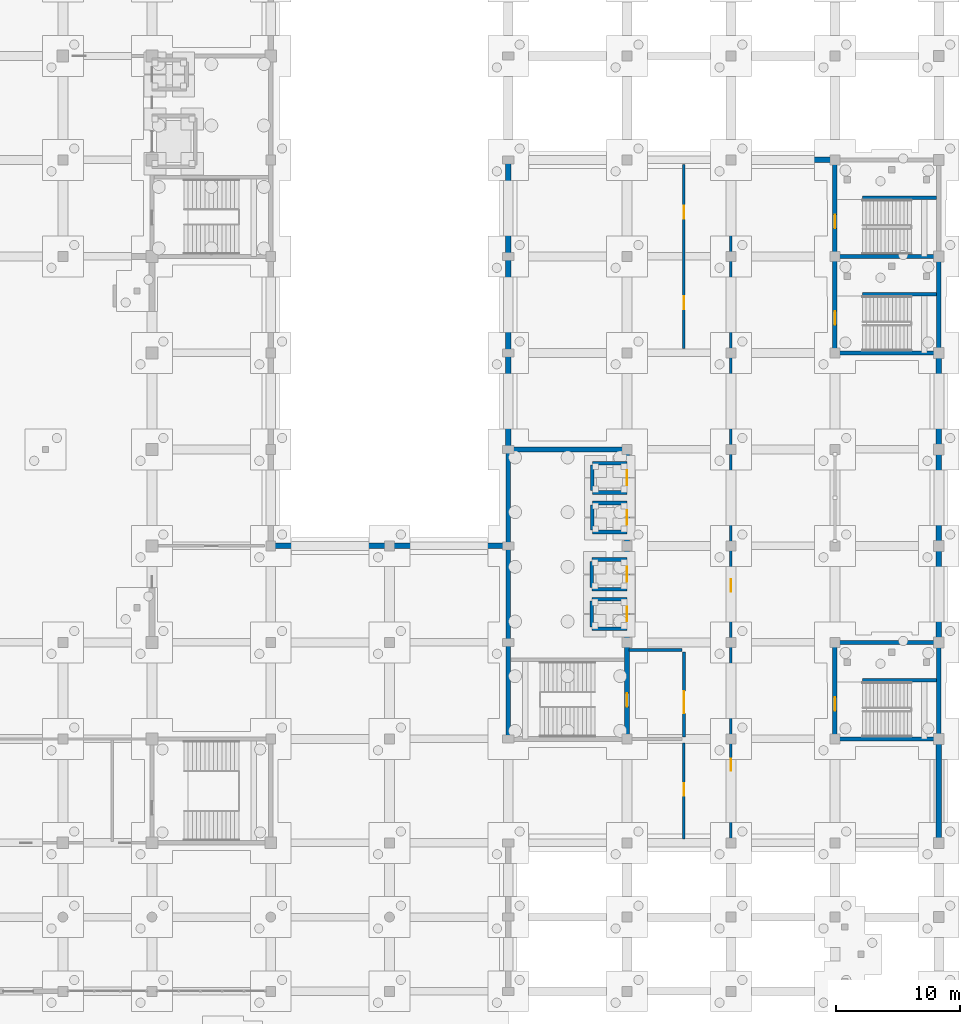
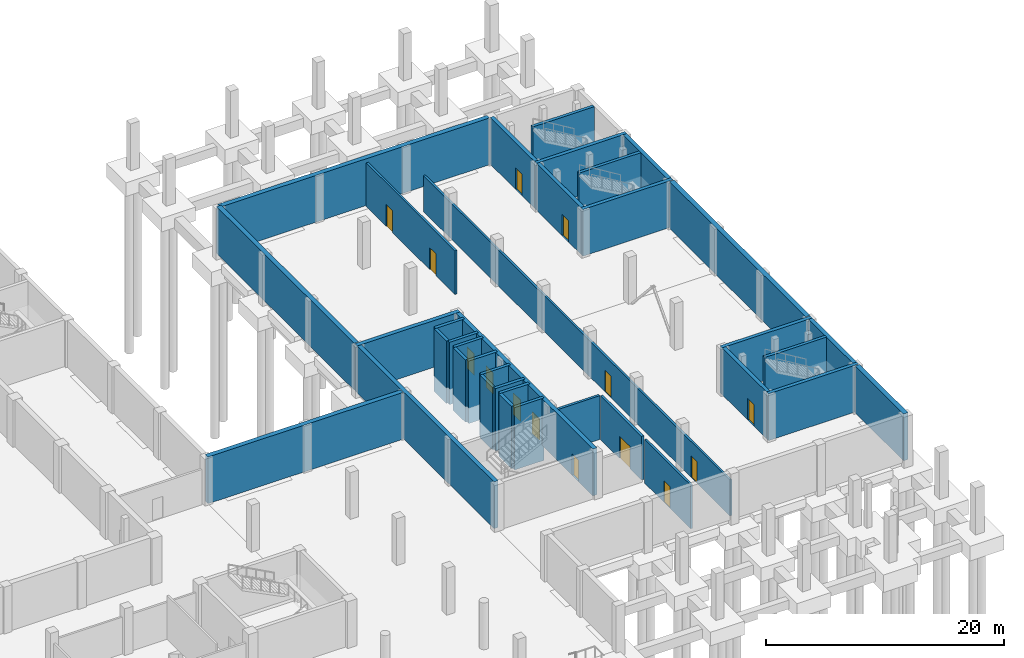
# One storey, part 35 of 42: 37 walls, 14 doors, 14 openings.
"""IFC4 building model written with IfcOpenShell, lengths in metres."""

from ifc_helpers import new_model, si_unit, direction, frame, frame_2d, origin, place, context, subcontext, project, spatial, rectangle, extrude, material, layer, layer_set, type_object, element, fill, save


model = new_model("IFC4")

# Units and contexts
model_context = context("Model", 3, precision=1e-05, world=origin(), true_north=direction((0.0, 1.0)))
body_context = subcontext(model_context, "Body", "Model", "MODEL_VIEW")
ifc_project = project(units=[si_unit("LENGTHUNIT", "METRE"), si_unit("AREAUNIT", "SQUARE_METRE"), si_unit("VOLUMEUNIT", "CUBIC_METRE"), si_unit("PLANEANGLEUNIT", "RADIAN"), si_unit("MASSUNIT", "GRAM", prefix="KILO")], contexts=[model_context])

# Site, building, storey
site_placement = place(None, origin())
site = spatial("IfcSite", under=ifc_project, at=site_placement, CompositionType="ELEMENT")
building_placement = place(site_placement, origin())
building = spatial("IfcBuilding", under=site, at=building_placement, Name="Pellamere Symphony Hall", CompositionType="ELEMENT")
storey_placement = place(building_placement, frame((0.0, 0.0, -4.800048828125)))
storey = spatial("IfcBuildingStorey", under=building, at=storey_placement, Name="B1", CompositionType="ELEMENT", Elevation=-4.800048828125)

# Wall
ifc_material_1 = material(Name="Double-Stud STC-65 Acoustic Drywall Partition", Category="gypsum")
ifc_layer_1 = layer(ifc_material_1, 0.239990234375, Name="Double-Stud STC-65 Acoustic Drywall Partition")
ifc_layer_set_1 = layer_set([ifc_layer_1], Name="Double-Stud STC-65 Acoustic Drywall Partition")
wall_type_1 = type_object("IfcWallType", Name="Interior Partition IW-01 240mm", PredefinedType="PARTITIONING", material=ifc_layer_set_1)
wall_1_placement = place(storey_placement, frame((147.760009765625, 45.60009765625, 0.0), z_axis=(0.0, 0.0, 1.0), x_axis=(1.0, 0.0, 0.0)))
element("IfcWall", 1, at=wall_1_placement, inside=storey, type_object=wall_type_1, Name="Interior Partition IW-01-021 (B1)", PredefinedType="PARTITIONING", context=body_context, shape_type="SweptSolid", body=[
    extrude(rectangle(XDim=4.280029296875, YDim=0.239990234375, at=frame_2d((2.14013671875, 0.0))), origin(), (0.0, 0.0, 1.0), 4.489990234375),
])

# Wall, opening, door
wall_2_placement = place(storey_placement, frame((152.199951171875, 38.56005859375, 0.0), z_axis=(0.0, 0.0, 1.0), x_axis=(0.0, 1.0, 0.0)))
wall_2 = element("IfcWall", 2, at=wall_2_placement, inside=storey, type_object=wall_type_1, Name="Interior Partition IW-01-022 (B1)", PredefinedType="PARTITIONING", context=body_context, shape_type="SweptSolid", body=[
    extrude(rectangle(XDim=6.8798828125, YDim=0.239990234375, at=frame_2d((3.43994140625, 0.0))), origin(), (0.0, 0.0, 1.0), 4.489990234375),
])
opening_1_placement = place(wall_2_placement, frame((1.89990234375, 0.0, 0.0)))
opening_1 = element("IfcOpeningElement", 3, at=opening_1_placement, cuts=wall_2, Name="Opening FD-09", PredefinedType="OPENING", context=body_context, shape_type="SweptSolid", body=[
    extrude(rectangle(XDim=1.800048828125, YDim=2.300048828125, at=frame_2d((0.89990234375, 1.14990234375))), frame((0.0, 0.1298828125, 0.0), z_axis=(0.0, -1.0, 0.0), x_axis=(1.0, 0.0, 0.0)), (0.0, 0.0, 1.0), 0.260009765625),
])
ifc_material_2 = material(Name="Fire-Rated Cross-Corridor Double Door", Category="wood")
door_type_1 = type_object("IfcDoorType", Name="Interior Door ID-FD1 1800x2300", OperationType="NOTDEFINED", PredefinedType="DOOR", material=ifc_material_2)
door_1_placement = place(opening_1_placement, origin())
door_1 = element("IfcDoor", 4, at=door_1_placement, inside=storey, type_object=door_type_1, Name="Firefighting Lobby C2 Foyer Entry Door (B1)", OperationType="DOUBLE_DOOR_SINGLE_SWING", OverallHeight=2.300048828125, OverallWidth=1.800048828125, PredefinedType="DOOR", context=body_context, shape_type="SweptSolid", body=[
    extrude(rectangle(XDim=1.800048828125, YDim=2.300048828125, at=frame_2d((0.89990234375, 1.14990234375))), frame((0.0, 0.02490234375, 0.0), z_axis=(0.0, -1.0, 0.0), x_axis=(1.0, 0.0, 0.0)), (0.0, 0.0, 1.0), 0.050048828125),
])
fill(opening_1, door_1)

ifc_material_3 = material(Name="Fire-Rated STC-58 Corridor Acoustic Partition", Category="gypsum")
ifc_layer_2 = layer(ifc_material_3, 0.199951171875, Name="Fire-Rated STC-58 Corridor Acoustic Partition")
ifc_layer_set_2 = layer_set([ifc_layer_2], Name="Fire-Rated STC-58 Corridor Acoustic Partition")
wall_type_2 = type_object("IfcWallType", Name="Interior Partition IW-02 200mm", PredefinedType="PARTITIONING", material=ifc_layer_set_2)
wall_3_placement = place(storey_placement, frame((152.199951171875, 30.31005859375, 0.0), z_axis=(0.0, 0.0, 1.0), x_axis=(0.0, 1.0, 0.0)))
wall_3 = element("IfcWall", 5, at=wall_3_placement, inside=storey, type_object=wall_type_2, Name="Interior Partition IW-02-048 (B1)", PredefinedType="PARTITIONING", context=body_context, shape_type="SweptSolid", body=[
    extrude(rectangle(XDim=7.75, YDim=0.199951171875, at=frame_2d((3.875, 0.0))), origin(), (0.0, 0.0, 1.0), 4.489990234375),
])
opening_2_placement = place(wall_3_placement, frame((3.5, 0.0, 0.0)))
opening_2 = element("IfcOpeningElement", 6, at=opening_2_placement, cuts=wall_3, Name="Opening ID-FD2-008", PredefinedType="OPENING", context=body_context, shape_type="SweptSolid", body=[
    extrude(rectangle(XDim=1.0, YDim=2.199951171875, at=frame_2d((0.5, 1.10009765625))), frame((0.0, 0.10986328125, 0.0), z_axis=(0.0, -1.0, 0.0), x_axis=(1.0, 0.0, 0.0)), (0.0, 0.0, 1.0), 0.219970703125),
])
ifc_material_4 = material(Name="Fire-Rated Plant and Riser Door", Category="steel")
door_type_2 = type_object("IfcDoorType", Name="Interior Door ID-FD2 1000x2200", OperationType="NOTDEFINED", PredefinedType="DOOR", material=ifc_material_4)
door_2_placement = place(opening_2_placement, origin())
door_2 = element("IfcDoor", 7, at=door_2_placement, inside=storey, type_object=door_type_2, Name="District Heating Plant Room Door", OperationType="SINGLE_SWING_LEFT", OverallHeight=2.199951171875, OverallWidth=1.0, PredefinedType="DOOR", context=body_context, shape_type="SweptSolid", body=[
    extrude(rectangle(XDim=1.0, YDim=2.199951171875, at=frame_2d((0.5, 1.10009765625))), frame((0.0, 0.02490234375, 0.0), z_axis=(0.0, -1.0, 0.0), x_axis=(1.0, 0.0, 0.0)), (0.0, 0.0, 1.0), 0.050048828125),
])
fill(opening_2, door_2)

# Wall, openings, doors
wall_4_placement = place(storey_placement, frame((152.199951171875, 69.93994140625, 0.0), z_axis=(0.0, 0.0, 1.0), x_axis=(0.0, 1.0, 0.0)))
wall_4 = element("IfcWall", 8, at=wall_4_placement, inside=storey, type_object=wall_type_2, Name="Interior Partition IW-02-049 (B1)", PredefinedType="PARTITIONING", context=body_context, shape_type="SweptSolid", body=[
    extrude(rectangle(XDim=14.900146484375, YDim=0.199951171875, at=frame_2d((7.4501953125, 0.0))), origin(), (0.0, 0.0, 1.0), 4.489990234375),
])
opening_3_placement = place(wall_4_placement, frame((3.199951171875, 0.0, 0.0)))
opening_3 = element("IfcOpeningElement", 9, at=opening_3_placement, cuts=wall_4, Name="Opening ID-AD2-009", PredefinedType="OPENING", context=body_context, shape_type="SweptSolid", body=[
    extrude(rectangle(XDim=1.050048828125, YDim=2.25, at=frame_2d((0.52490234375, 1.125))), frame((0.0, 0.10986328125, 0.0), z_axis=(0.0, -1.0, 0.0), x_axis=(1.0, 0.0, 0.0)), (0.0, 0.0, 1.0), 0.219970703125),
])
opening_4_placement = place(wall_4_placement, frame((10.5, 0.0, 0.0)))
opening_4 = element("IfcOpeningElement", 10, at=opening_4_placement, cuts=wall_4, Name="Opening ID-AD2-010", PredefinedType="OPENING", context=body_context, shape_type="SweptSolid", body=[
    extrude(rectangle(XDim=1.050048828125, YDim=2.25, at=frame_2d((0.52490234375, 1.125))), frame((0.0, 0.10986328125, 0.0), z_axis=(0.0, -1.0, 0.0), x_axis=(1.0, 0.0, 0.0)), (0.0, 0.0, 1.0), 0.219970703125),
])
ifc_material_5 = material(Name="STC-50 Oak Acoustic Studio Door", Category="wood")
door_type_3 = type_object("IfcDoorType", Name="Interior Door ID-AD2 1050x2250", OperationType="NOTDEFINED", PredefinedType="DOOR", material=ifc_material_5)
door_3_placement = place(opening_3_placement, origin())
door_3 = element("IfcDoor", 11, at=door_3_placement, inside=storey, type_object=door_type_3, Name="Main Substation West Service Door", OperationType="SINGLE_SWING_LEFT", OverallHeight=2.25, OverallWidth=1.050048828125, PredefinedType="DOOR", context=body_context, shape_type="SweptSolid", body=[
    extrude(rectangle(XDim=1.050048828125, YDim=2.25, at=frame_2d((0.52490234375, 1.125))), frame((0.0, 0.02490234375, 0.0), z_axis=(0.0, -1.0, 0.0), x_axis=(1.0, 0.0, 0.0)), (0.0, 0.0, 1.0), 0.050048828125),
])
fill(opening_3, door_3)
door_4_placement = place(opening_4_placement, origin())
door_4 = element("IfcDoor", 12, at=door_4_placement, inside=storey, type_object=door_type_3, Name="Percussion Timpani Storage Studio Door", OperationType="SINGLE_SWING_RIGHT", OverallHeight=2.25, OverallWidth=1.050048828125, PredefinedType="DOOR", context=body_context, shape_type="SweptSolid", body=[
    extrude(rectangle(XDim=1.050048828125, YDim=2.25, at=frame_2d((0.52490234375, 1.125))), frame((0.0, 0.02490234375, 0.0), z_axis=(0.0, -1.0, 0.0), x_axis=(1.0, 0.0, 0.0)), (0.0, 0.0, 1.0), 0.050048828125),
])
fill(opening_4, door_4)

wall_5_placement = place(storey_placement, frame((156.0, 30.31005859375, 0.0), z_axis=(0.0, 0.0, 1.0), x_axis=(0.0, 1.0, 0.0)))
wall_5 = element("IfcWall", 13, at=wall_5_placement, inside=storey, type_object=wall_type_2, Name="Interior Partition IW-02-050 (B1)", PredefinedType="PARTITIONING", context=body_context, shape_type="SweptSolid", body=[
    extrude(rectangle(XDim=51.530029296875, YDim=0.199951171875, at=frame_2d((25.76513671875, 0.0))), origin(), (0.0, 0.0, 1.0), 3.679931640625),
])
opening_5_placement = place(wall_5_placement, frame((5.5, 0.0, 0.0)))
opening_5 = element("IfcOpeningElement", 14, at=opening_5_placement, cuts=wall_5, Name="Opening ID-FD2-011", PredefinedType="OPENING", context=body_context, shape_type="SweptSolid", body=[
    extrude(rectangle(XDim=1.0, YDim=2.199951171875, at=frame_2d((0.5, 1.10009765625))), frame((0.0, 0.10986328125, 0.0), z_axis=(0.0, -1.0, 0.0), x_axis=(1.0, 0.0, 0.0)), (0.0, 0.0, 1.0), 0.219970703125),
])
opening_6_placement = place(wall_5_placement, frame((20.0, 0.0, 0.0)))
opening_6 = element("IfcOpeningElement", 15, at=opening_6_placement, cuts=wall_5, Name="Opening ID-FD2-012", PredefinedType="OPENING", context=body_context, shape_type="SweptSolid", body=[
    extrude(rectangle(XDim=1.0, YDim=2.199951171875, at=frame_2d((0.5, 1.10009765625))), frame((0.0, 0.10986328125, 0.0), z_axis=(0.0, -1.0, 0.0), x_axis=(1.0, 0.0, 0.0)), (0.0, 0.0, 1.0), 0.219970703125),
])
door_5_placement = place(opening_5_placement, origin())
door_5 = element("IfcDoor", 16, at=door_5_placement, inside=storey, type_object=door_type_2, Name="Chilled-Water Pump Room Door", OperationType="SINGLE_SWING_LEFT", OverallHeight=2.199951171875, OverallWidth=1.0, PredefinedType="DOOR", context=body_context, shape_type="SweptSolid", body=[
    extrude(rectangle(XDim=1.0, YDim=2.199951171875, at=frame_2d((0.5, 1.10009765625))), frame((0.0, 0.02490234375, 0.0), z_axis=(0.0, -1.0, 0.0), x_axis=(1.0, 0.0, 0.0)), (0.0, 0.0, 1.0), 0.050048828125),
])
fill(opening_5, door_5)
door_6_placement = place(opening_6_placement, origin())
door_6 = element("IfcDoor", 17, at=door_6_placement, inside=storey, type_object=door_type_2, Name="Air Handling Plant Room Door", OperationType="SINGLE_SWING_RIGHT", OverallHeight=2.199951171875, OverallWidth=1.0, PredefinedType="DOOR", context=body_context, shape_type="SweptSolid", body=[
    extrude(rectangle(XDim=1.0, YDim=2.199951171875, at=frame_2d((0.5, 1.10009765625))), frame((0.0, 0.02490234375, 0.0), z_axis=(0.0, -1.0, 0.0), x_axis=(1.0, 0.0, 0.0)), (0.0, 0.0, 1.0), 0.050048828125),
])
fill(opening_6, door_6)

# Walls
ifc_material_6 = material(Name="Concrete 40 MPa", Category="concrete")
ifc_layer_3 = layer(ifc_material_6, 0.449951171875, Name="Concrete 40 MPa")
ifc_layer_set_3 = layer_set([ifc_layer_3], Name="Concrete 40 MPa")
wall_type_3 = type_object("IfcWallType", Name="Structural Wall SW-01 450mm", PredefinedType="USERDEFINED", material=ifc_layer_set_3)
wall_6_placement = place(storey_placement, frame((118.800048828125, 54.0, 0.0), z_axis=(0.0, 0.0, 1.0), x_axis=(1.0, 0.0, 0.0)))
element("IfcWall", 18, at=wall_6_placement, inside=storey, type_object=wall_type_3, Name="Basement Retaining Wall RW-08", ObjectType="RETAINING", PredefinedType="USERDEFINED", context=body_context, shape_type="SweptSolid", body=[
    extrude(rectangle(XDim=18.949951171875, YDim=0.449951171875, at=frame_2d((9.47509765625, 0.0))), origin(), (0.0, 0.0, 1.0), 4.800048828125),
])
wall_7_placement = place(storey_placement, frame((138.0, 62.050048828125, 0.0), z_axis=(0.0, 0.0, 1.0), x_axis=(0.0, 1.0, 0.0)))
element("IfcWall", 19, at=wall_7_placement, inside=storey, type_object=wall_type_3, Name="Basement Retaining Wall RW-09", ObjectType="RETAINING", PredefinedType="USERDEFINED", context=body_context, shape_type="SweptSolid", body=[
    extrude(rectangle(XDim=23.14990234375, YDim=0.449951171875, at=frame_2d((11.574951171875, 0.0))), origin(), (0.0, 0.0, 1.0), 4.800048828125),
])
wall_8_placement = place(storey_placement, frame((138.0, 85.199951171875, 0.0), z_axis=(0.0, 0.0, 1.0), x_axis=(1.0, 0.0, 0.0)))
element("IfcWall", 20, at=wall_8_placement, inside=storey, type_object=wall_type_3, Name="Basement Retaining Wall RW-10", ObjectType="RETAINING", PredefinedType="USERDEFINED", context=body_context, shape_type="SweptSolid", body=[
    extrude(rectangle(XDim=26.14990234375, YDim=0.449951171875, at=frame_2d((13.074951171875, 0.0))), origin(), (0.0, 0.0, 1.0), 4.800048828125),
])
wall_9_placement = place(storey_placement, frame((172.800048828125, 69.35009765625, 0.0), z_axis=(0.0, 0.0, 1.0), x_axis=(0.0, -1.0, 0.0)))
element("IfcWall", 21, at=wall_9_placement, inside=storey, type_object=wall_type_3, Name="Basement Retaining Wall RW-11", ObjectType="RETAINING", PredefinedType="USERDEFINED", context=body_context, shape_type="SweptSolid", body=[
    extrude(rectangle(XDim=22.900146484375, YDim=0.449951171875, at=frame_2d((11.4501953125, 0.0))), origin(), (0.0, 0.0, 1.0), 4.800048828125),
])
wall_10_placement = place(storey_placement, frame((172.800048828125, 38.14990234375, 0.0), z_axis=(0.0, 0.0, 1.0), x_axis=(0.0, -1.0, 0.0)))
element("IfcWall", 22, at=wall_10_placement, inside=storey, type_object=wall_type_3, Name="Basement Retaining Wall RW-12", ObjectType="RETAINING", PredefinedType="USERDEFINED", context=body_context, shape_type="SweptSolid", body=[
    extrude(rectangle(XDim=8.14990234375, YDim=0.449951171875, at=frame_2d((4.074951171875, 0.0))), origin(), (0.0, 0.0, 1.0), 4.800048828125),
])
ifc_material_7 = material(Name="Concrete 50 MPa", Category="concrete")
ifc_layer_4 = layer(ifc_material_7, 0.39990234375, Name="Concrete 50 MPa")
ifc_layer_set_4 = layer_set([ifc_layer_4], Name="Concrete 50 MPa")
wall_type_4 = type_object("IfcWallType", Name="Structural Wall SW-02 400mm", PredefinedType="SHEAR", material=ifc_layer_set_4)
wall_11_placement = place(storey_placement, frame((137.800048828125, 61.800048828125, 0.0), z_axis=(0.0, 0.0, 1.0), x_axis=(1.0, 0.0, 0.0)))
element("IfcWall", 23, at=wall_11_placement, inside=storey, type_object=wall_type_4, Name="Core Shear Wall C2 N (B1)", PredefinedType="SHEAR", context=body_context, shape_type="SweptSolid", body=[
    extrude(rectangle(XDim=10.0, YDim=0.39990234375, at=frame_2d((5.0, 0.0))), origin(), (0.0, 0.0, 1.0), 4.800048828125),
])
wall_12_placement = place(storey_placement, frame((138.0, 38.60009765625, 0.0), z_axis=(0.0, 0.0, 1.0), x_axis=(0.0, 1.0, 0.0)))
element("IfcWall", 24, at=wall_12_placement, inside=storey, type_object=wall_type_4, Name="Core Shear Wall C2 W (B1)", PredefinedType="SHEAR", context=body_context, shape_type="SweptSolid", body=[
    extrude(rectangle(XDim=23.0, YDim=0.39990234375, at=frame_2d((11.5, 0.0))), origin(), (0.0, 0.0, 1.0), 4.800048828125),
])

# Wall, openings, doors
wall_13_placement = place(storey_placement, frame((147.60009765625, 38.60009765625, 0.0), z_axis=(0.0, 0.0, 1.0), x_axis=(0.0, 1.0, 0.0)))
wall_13 = element("IfcWall", 25, at=wall_13_placement, inside=storey, type_object=wall_type_4, Name="Core Shear Wall C2 E (B1)", PredefinedType="SHEAR", context=body_context, shape_type="SweptSolid", body=[
    extrude(rectangle(XDim=23.0, YDim=0.39990234375, at=frame_2d((11.5, 0.0))), origin(), (0.0, 0.0, 1.0), 4.800048828125),
])
opening_7_placement = place(wall_13_placement, frame((9.300048828125, 0.0, 0.0)))
opening_7 = element("IfcOpeningElement", 26, at=opening_7_placement, cuts=wall_13, Name="Opening LD-13", PredefinedType="OPENING", context=body_context, shape_type="SweptSolid", body=[
    extrude(rectangle(XDim=1.199951171875, YDim=2.199951171875, at=frame_2d((0.60009765625, 1.10009765625))), frame((0.0, 0.2099609375, 0.0), z_axis=(0.0, -1.0, 0.0), x_axis=(1.0, 0.0, 0.0)), (0.0, 0.0, 1.0), 0.419921875),
])
opening_8_placement = place(wall_13_placement, frame((12.5, 0.0, 0.0)))
opening_8 = element("IfcOpeningElement", 27, at=opening_8_placement, cuts=wall_13, Name="Opening LD-21", PredefinedType="OPENING", context=body_context, shape_type="SweptSolid", body=[
    extrude(rectangle(XDim=1.199951171875, YDim=2.199951171875, at=frame_2d((0.60009765625, 1.10009765625))), frame((0.0, 0.2099609375, 0.0), z_axis=(0.0, -1.0, 0.0), x_axis=(1.0, 0.0, 0.0)), (0.0, 0.0, 1.0), 0.419921875),
])
opening_9_placement = place(wall_13_placement, frame((17.10009765625, 0.0, 0.0)))
opening_9 = element("IfcOpeningElement", 28, at=opening_9_placement, cuts=wall_13, Name="Opening LD-29", PredefinedType="OPENING", context=body_context, shape_type="SweptSolid", body=[
    extrude(rectangle(XDim=1.199951171875, YDim=2.199951171875, at=frame_2d((0.60009765625, 1.10009765625))), frame((0.0, 0.2099609375, 0.0), z_axis=(0.0, -1.0, 0.0), x_axis=(1.0, 0.0, 0.0)), (0.0, 0.0, 1.0), 0.419921875),
])
opening_10_placement = place(wall_13_placement, frame((20.300048828125, 0.0, 0.0)))
opening_10 = element("IfcOpeningElement", 29, at=opening_10_placement, cuts=wall_13, Name="Opening LD-36", PredefinedType="OPENING", context=body_context, shape_type="SweptSolid", body=[
    extrude(rectangle(XDim=1.199951171875, YDim=2.199951171875, at=frame_2d((0.60009765625, 1.10009765625))), frame((0.0, 0.2099609375, 0.0), z_axis=(0.0, -1.0, 0.0), x_axis=(1.0, 0.0, 0.0)), (0.0, 0.0, 1.0), 0.419921875),
])
opening_11_placement = place(wall_13_placement, frame((2.39990234375, 0.0, 0.0)))
opening_11 = element("IfcOpeningElement", 30, at=opening_11_placement, cuts=wall_13, Name="Opening SD-07", PredefinedType="OPENING", context=body_context, shape_type="SweptSolid", body=[
    extrude(rectangle(XDim=1.10009765625, YDim=2.199951171875, at=frame_2d((0.550048828125, 1.10009765625))), frame((0.0, 0.2099609375, 0.0), z_axis=(0.0, -1.0, 0.0), x_axis=(1.0, 0.0, 0.0)), (0.0, 0.0, 1.0), 0.419921875),
])
ifc_material_8 = material(Name="Stainless Steel AISI 316 Elevator Landing Door", Category="steel")
door_type_4 = type_object("IfcDoorType", Name="Interior Door ID-LD1 1200x2200", OperationType="NOTDEFINED", PredefinedType="DOOR", material=ifc_material_8)
door_7_placement = place(opening_7_placement, origin())
door_7 = element("IfcDoor", 31, at=door_7_placement, inside=storey, type_object=door_type_4, Name="Elevator FFL1 Sliding Landing Door (B1)", OperationType="SLIDING_TO_LEFT", OverallHeight=2.199951171875, OverallWidth=1.199951171875, PredefinedType="DOOR", context=body_context, shape_type="SweptSolid", body=[
    extrude(rectangle(XDim=1.199951171875, YDim=2.199951171875, at=frame_2d((0.60009765625, 1.10009765625))), frame((0.0, 0.02490234375, 0.0), z_axis=(0.0, -1.0, 0.0), x_axis=(1.0, 0.0, 0.0)), (0.0, 0.0, 1.0), 0.050048828125),
])
fill(opening_7, door_7)
door_8_placement = place(opening_8_placement, origin())
door_8 = element("IfcDoor", 32, at=door_8_placement, inside=storey, type_object=door_type_4, Name="Elevator FFL2 Sliding Landing Door (B1)", OperationType="SLIDING_TO_LEFT", OverallHeight=2.199951171875, OverallWidth=1.199951171875, PredefinedType="DOOR", context=body_context, shape_type="SweptSolid", body=[
    extrude(rectangle(XDim=1.199951171875, YDim=2.199951171875, at=frame_2d((0.60009765625, 1.10009765625))), frame((0.0, 0.02490234375, 0.0), z_axis=(0.0, -1.0, 0.0), x_axis=(1.0, 0.0, 0.0)), (0.0, 0.0, 1.0), 0.050048828125),
])
fill(opening_8, door_8)
door_9_placement = place(opening_9_placement, origin())
door_9 = element("IfcDoor", 33, at=door_9_placement, inside=storey, type_object=door_type_4, Name="Elevator PL3 Sliding Landing Door (B1)", OperationType="SLIDING_TO_LEFT", OverallHeight=2.199951171875, OverallWidth=1.199951171875, PredefinedType="DOOR", context=body_context, shape_type="SweptSolid", body=[
    extrude(rectangle(XDim=1.199951171875, YDim=2.199951171875, at=frame_2d((0.60009765625, 1.10009765625))), frame((0.0, 0.02490234375, 0.0), z_axis=(0.0, -1.0, 0.0), x_axis=(1.0, 0.0, 0.0)), (0.0, 0.0, 1.0), 0.050048828125),
])
fill(opening_9, door_9)
door_10_placement = place(opening_10_placement, origin())
door_10 = element("IfcDoor", 34, at=door_10_placement, inside=storey, type_object=door_type_4, Name="Elevator PL4 Sliding Landing Door (B1)", OperationType="SLIDING_TO_RIGHT", OverallHeight=2.199951171875, OverallWidth=1.199951171875, PredefinedType="DOOR", context=body_context, shape_type="SweptSolid", body=[
    extrude(rectangle(XDim=1.199951171875, YDim=2.199951171875, at=frame_2d((0.60009765625, 1.10009765625))), frame((0.0, 0.02490234375, 0.0), z_axis=(0.0, -1.0, 0.0), x_axis=(1.0, 0.0, 0.0)), (0.0, 0.0, 1.0), 0.050048828125),
])
fill(opening_10, door_10)
ifc_material_9 = material(Name="Fire-Rated Steel Exit Stair Door", Category="steel")
door_type_5 = type_object("IfcDoorType", Name="Interior Door ID-SD1 1100x2200", OperationType="NOTDEFINED", PredefinedType="DOOR", material=ifc_material_9)
door_11_placement = place(opening_11_placement, origin())
door_11 = element("IfcDoor", 35, at=door_11_placement, inside=storey, type_object=door_type_5, Name="Core C2 Exit Stair Door (B1)", OperationType="SINGLE_SWING_LEFT", OverallHeight=2.199951171875, OverallWidth=1.10009765625, PredefinedType="DOOR", context=body_context, shape_type="SweptSolid", body=[
    extrude(rectangle(XDim=1.10009765625, YDim=2.199951171875, at=frame_2d((0.550048828125, 1.10009765625))), frame((0.0, 0.02490234375, 0.0), z_axis=(0.0, -1.0, 0.0), x_axis=(1.0, 0.0, 0.0)), (0.0, 0.0, 1.0), 0.050048828125),
])
fill(opening_11, door_11)

# Walls
ifc_layer_5 = layer(ifc_material_6, 0.35009765625, Name="Concrete 40 MPa")
ifc_layer_set_5 = layer_set([ifc_layer_5], Name="Concrete 40 MPa")
wall_type_5 = type_object("IfcWallType", Name="Structural Wall SW-03 350mm", PredefinedType="SHEAR", material=ifc_layer_set_5)
for number, where, z_axis, x_axis, name in (
    (36, (164.22509765625, 69.60009765625, 0.0), (0.0, 0.0, 1.0), (1.0, 0.0, 0.0), "Stair ST05 Enclosure Wall S (B1)"),
    (37, (164.22509765625, 77.39990234375, 0.0), (0.0, 0.0, 1.0), (1.0, 0.0, 0.0), "Stair ST05 Enclosure Wall N (B1)"),
):
    element("IfcWall", number, at=place(storey_placement, frame(where, z_axis=z_axis, x_axis=x_axis)), inside=storey, type_object=wall_type_5, Name=name, PredefinedType="SHEAR", context=body_context, shape_type="SweptSolid", body=[
        extrude(rectangle(XDim=8.75, YDim=0.35009765625, at=frame_2d((4.375, 0.0))), origin(), (0.0, 0.0, 1.0), 4.800048828125),
    ])

# Wall, opening, door
wall_14_placement = place(storey_placement, frame((164.39990234375, 69.77490234375, 0.0), z_axis=(0.0, 0.0, 1.0), x_axis=(0.0, 1.0, 0.0)))
wall_14 = element("IfcWall", 38, at=wall_14_placement, inside=storey, type_object=wall_type_5, Name="Stair ST05 Enclosure Wall W (B1)", PredefinedType="SHEAR", context=body_context, shape_type="SweptSolid", body=[
    extrude(rectangle(XDim=7.4501953125, YDim=0.35009765625, at=frame_2d((3.72509765625, 0.0))), origin(), (0.0, 0.0, 1.0), 4.800048828125),
])
opening_12_placement = place(wall_14_placement, frame((2.10009765625, 0.0, 0.0)))
opening_12 = element("IfcOpeningElement", 39, at=opening_12_placement, cuts=wall_14, Name="Opening SD-22", PredefinedType="OPENING", context=body_context, shape_type="SweptSolid", body=[
    extrude(rectangle(XDim=1.10009765625, YDim=2.199951171875, at=frame_2d((0.550048828125, 1.10009765625))), frame((0.0, 0.18505859375, 0.0), z_axis=(0.0, -1.0, 0.0), x_axis=(1.0, 0.0, 0.0)), (0.0, 0.0, 1.0), 0.3701171875),
])
door_12_placement = place(opening_12_placement, frame((1.10009765625, 0.0, 0.0), z_axis=(0.0, 0.0, 1.0), x_axis=(-1.0, 0.0, 0.0)))
door_12 = element("IfcDoor", 40, at=door_12_placement, inside=storey, type_object=door_type_5, Name="Exit Stair ST05 Door (B1)", OperationType="SINGLE_SWING_RIGHT", OverallHeight=2.199951171875, OverallWidth=1.10009765625, PredefinedType="DOOR", context=body_context, shape_type="SweptSolid", body=[
    extrude(rectangle(XDim=1.10009765625, YDim=2.199951171875, at=frame_2d((0.550048828125, 1.10009765625))), frame((0.0, 0.02490234375, 0.0), z_axis=(0.0, -1.0, 0.0), x_axis=(1.0, 0.0, 0.0)), (0.0, 0.0, 1.0), 0.050048828125),
])
fill(opening_12, door_12)

# Walls
for number, where, z_axis, x_axis, name in (
    (41, (164.22509765625, 38.39990234375, 0.0), (0.0, 0.0, 1.0), (1.0, 0.0, 0.0), "Stair ST06 Enclosure Wall S (B1)"),
    (42, (164.22509765625, 46.199951171875, 0.0), (0.0, 0.0, 1.0), (1.0, 0.0, 0.0), "Stair ST06 Enclosure Wall N (B1)"),
):
    element("IfcWall", number, at=place(storey_placement, frame(where, z_axis=z_axis, x_axis=x_axis)), inside=storey, type_object=wall_type_5, Name=name, PredefinedType="SHEAR", context=body_context, shape_type="SweptSolid", body=[
        extrude(rectangle(XDim=8.75, YDim=0.35009765625, at=frame_2d((4.375, 0.0))), origin(), (0.0, 0.0, 1.0), 4.800048828125),
    ])

# Wall, opening, door
wall_15_placement = place(storey_placement, frame((164.39990234375, 38.574951171875, 0.0), z_axis=(0.0, 0.0, 1.0), x_axis=(0.0, 1.0, 0.0)))
wall_15 = element("IfcWall", 43, at=wall_15_placement, inside=storey, type_object=wall_type_5, Name="Stair ST06 Enclosure Wall W (B1)", PredefinedType="SHEAR", context=body_context, shape_type="SweptSolid", body=[
    extrude(rectangle(XDim=7.449951171875, YDim=0.35009765625, at=frame_2d((3.72509765625, 0.0))), origin(), (0.0, 0.0, 1.0), 4.800048828125),
])
opening_13_placement = place(wall_15_placement, frame((2.10009765625, 0.0, 0.0)))
opening_13 = element("IfcOpeningElement", 44, at=opening_13_placement, cuts=wall_15, Name="Opening SD-29", PredefinedType="OPENING", context=body_context, shape_type="SweptSolid", body=[
    extrude(rectangle(XDim=1.10009765625, YDim=2.199951171875, at=frame_2d((0.550048828125, 1.10009765625))), frame((0.0, 0.18505859375, 0.0), z_axis=(0.0, -1.0, 0.0), x_axis=(1.0, 0.0, 0.0)), (0.0, 0.0, 1.0), 0.3701171875),
])
door_13_placement = place(opening_13_placement, frame((1.10009765625, 0.0, 0.0), z_axis=(0.0, 0.0, 1.0), x_axis=(-1.0, 0.0, 0.0)))
door_13 = element("IfcDoor", 45, at=door_13_placement, inside=storey, type_object=door_type_5, Name="Exit Stair ST06 Door (B1)", OperationType="SINGLE_SWING_LEFT", OverallHeight=2.199951171875, OverallWidth=1.10009765625, PredefinedType="DOOR", context=body_context, shape_type="SweptSolid", body=[
    extrude(rectangle(XDim=1.10009765625, YDim=2.199951171875, at=frame_2d((0.550048828125, 1.10009765625))), frame((0.0, 0.02490234375, 0.0), z_axis=(0.0, -1.0, 0.0), x_axis=(1.0, 0.0, 0.0)), (0.0, 0.0, 1.0), 0.050048828125),
])
fill(opening_13, door_13)

wall_16_placement = place(storey_placement, frame((164.39990234375, 77.574951171875, 0.0), z_axis=(0.0, 0.0, 1.0), x_axis=(0.0, 1.0, 0.0)))
wall_16 = element("IfcWall", 46, at=wall_16_placement, inside=storey, type_object=wall_type_5, Name="Stair ST14 Enclosure Wall W (B1)", PredefinedType="SHEAR", context=body_context, shape_type="SweptSolid", body=[
    extrude(rectangle(XDim=7.449951171875, YDim=0.35009765625, at=frame_2d((3.72509765625, 0.0))), origin(), (0.0, 0.0, 1.0), 4.800048828125),
])
opening_14_placement = place(wall_16_placement, frame((2.10009765625, 0.0, 0.0)))
opening_14 = element("IfcOpeningElement", 47, at=opening_14_placement, cuts=wall_16, Name="Opening SD-63", PredefinedType="OPENING", context=body_context, shape_type="SweptSolid", body=[
    extrude(rectangle(XDim=1.10009765625, YDim=2.199951171875, at=frame_2d((0.550048828125, 1.10009765625))), frame((0.0, 0.18505859375, 0.0), z_axis=(0.0, -1.0, 0.0), x_axis=(1.0, 0.0, 0.0)), (0.0, 0.0, 1.0), 0.3701171875),
])
door_14_placement = place(opening_14_placement, frame((1.10009765625, 0.0, 0.0), z_axis=(0.0, 0.0, 1.0), x_axis=(-1.0, 0.0, 0.0)))
door_14 = element("IfcDoor", 48, at=door_14_placement, inside=storey, type_object=door_type_5, Name="Exit Stair ST14 Door (B1)", OperationType="SINGLE_SWING_LEFT", OverallHeight=2.199951171875, OverallWidth=1.10009765625, PredefinedType="DOOR", context=body_context, shape_type="SweptSolid", body=[
    extrude(rectangle(XDim=1.10009765625, YDim=2.199951171875, at=frame_2d((0.550048828125, 1.10009765625))), frame((0.0, 0.02490234375, 0.0), z_axis=(0.0, -1.0, 0.0), x_axis=(1.0, 0.0, 0.0)), (0.0, 0.0, 1.0), 0.050048828125),
])
fill(opening_14, door_14)

# Walls
ifc_layer_6 = layer(ifc_material_6, 0.300048828125, Name="Concrete 40 MPa")
ifc_layer_set_6 = layer_set([ifc_layer_6], Name="Concrete 40 MPa")
wall_type_6 = type_object("IfcWallType", Name="Structural Wall SW-04 300mm", PredefinedType="SHEAR", material=ifc_layer_set_6)
for number, where, z_axis, x_axis, name in (
    (49, (166.625, 74.35009765625, 0.0), (0.0, 0.0, 1.0), (1.0, 0.0, 0.0), "Stair ST05 Discharge Divider Wall (B1)"),
    (50, (166.625, 43.14990234375, 0.0), (0.0, 0.0, 1.0), (1.0, 0.0, 0.0), "Stair ST06 Discharge Divider Wall (B1)"),
    (51, (166.625, 82.14990234375, 0.0), (0.0, 0.0, 1.0), (1.0, 0.0, 0.0), "Stair ST14 Discharge Divider Wall (B1)"),
):
    element("IfcWall", number, at=place(storey_placement, frame(where, z_axis=z_axis, x_axis=x_axis)), inside=storey, type_object=wall_type_6, Name=name, PredefinedType="SHEAR", context=body_context, shape_type="SweptSolid", body=[
        extrude(rectangle(XDim=5.9951171875, YDim=0.300048828125, at=frame_2d((2.99755859375, 0.0))), origin(), (0.0, 0.0, 1.0), 4.800048828125),
    ])
for number, where, z_axis, x_axis, name in (
    (52, (144.75, 47.300048828125, -1.599853515625), (0.0, 0.0, 1.0), (1.0, 0.0, 0.0), "Elevator FFL1 Hoistway Wall S (B1)"),
    (53, (144.75, 49.699951171875, -1.599853515625), (0.0, 0.0, 1.0), (1.0, 0.0, 0.0), "Elevator FFL1 Hoistway Wall N (B1)"),
):
    element("IfcWall", number, at=place(storey_placement, frame(where, z_axis=z_axis, x_axis=x_axis)), inside=storey, type_object=wall_type_6, Name=name, PredefinedType="SHEAR", context=body_context, shape_type="SweptSolid", body=[
        extrude(rectangle(XDim=2.85009765625, YDim=0.300048828125, at=frame_2d((1.425048828125, 0.0))), origin(), (0.0, 0.0, 1.0), 6.39990234375),
    ])
wall_17_placement = place(storey_placement, frame((144.75, 47.449951171875, -1.599853515625), z_axis=(0.0, 0.0, 1.0), x_axis=(0.0, 1.0, 0.0)))
element("IfcWall", 54, at=wall_17_placement, inside=storey, type_object=wall_type_6, Name="Elevator FFL1 Hoistway Wall W (B1)", PredefinedType="SHEAR", context=body_context, shape_type="SweptSolid", body=[
    extrude(rectangle(XDim=2.10009765625, YDim=0.300048828125, at=frame_2d((1.050048828125, 0.0))), origin(), (0.0, 0.0, 1.0), 6.39990234375),
])
for number, where, z_axis, x_axis, name in (
    (55, (144.75, 50.5, -1.599853515625), (0.0, 0.0, 1.0), (1.0, 0.0, 0.0), "Elevator FFL2 Hoistway Wall S (B1)"),
    (56, (144.75, 52.89990234375, -1.599853515625), (0.0, 0.0, 1.0), (1.0, 0.0, 0.0), "Elevator FFL2 Hoistway Wall N (B1)"),
):
    element("IfcWall", number, at=place(storey_placement, frame(where, z_axis=z_axis, x_axis=x_axis)), inside=storey, type_object=wall_type_6, Name=name, PredefinedType="SHEAR", context=body_context, shape_type="SweptSolid", body=[
        extrude(rectangle(XDim=2.85009765625, YDim=0.300048828125, at=frame_2d((1.425048828125, 0.0))), origin(), (0.0, 0.0, 1.0), 6.39990234375),
    ])
wall_18_placement = place(storey_placement, frame((144.75, 50.64990234375, -1.599853515625), z_axis=(0.0, 0.0, 1.0), x_axis=(0.0, 1.0, 0.0)))
element("IfcWall", 57, at=wall_18_placement, inside=storey, type_object=wall_type_6, Name="Elevator FFL2 Hoistway Wall W (B1)", PredefinedType="SHEAR", context=body_context, shape_type="SweptSolid", body=[
    extrude(rectangle(XDim=2.10009765625, YDim=0.300048828125, at=frame_2d((1.050048828125, 0.0))), origin(), (0.0, 0.0, 1.0), 6.39990234375),
])
for number, where, z_axis, x_axis, name in (
    (58, (144.800048828125, 55.125, -1.599853515625), (0.0, 0.0, 1.0), (1.0, 0.0, 0.0), "Elevator PL3 Hoistway Wall S (B1)"),
    (59, (144.800048828125, 57.47509765625, -1.599853515625), (0.0, 0.0, 1.0), (1.0, 0.0, 0.0), "Elevator PL3 Hoistway Wall N (B1)"),
):
    element("IfcWall", number, at=place(storey_placement, frame(where, z_axis=z_axis, x_axis=x_axis)), inside=storey, type_object=wall_type_6, Name=name, PredefinedType="SHEAR", context=body_context, shape_type="SweptSolid", body=[
        extrude(rectangle(XDim=2.800048828125, YDim=0.300048828125, at=frame_2d((1.39990234375, 0.0))), origin(), (0.0, 0.0, 1.0), 6.39990234375),
    ])
wall_19_placement = place(storey_placement, frame((144.800048828125, 55.27490234375, -1.599853515625), z_axis=(0.0, 0.0, 1.0), x_axis=(0.0, 1.0, 0.0)))
element("IfcWall", 60, at=wall_19_placement, inside=storey, type_object=wall_type_6, Name="Elevator PL3 Hoistway Wall W (B1)", PredefinedType="SHEAR", context=body_context, shape_type="SweptSolid", body=[
    extrude(rectangle(XDim=2.050048828125, YDim=0.300048828125, at=frame_2d((1.02490234375, 0.0))), origin(), (0.0, 0.0, 1.0), 6.39990234375),
])
for number, where, z_axis, x_axis, name in (
    (61, (144.800048828125, 58.324951171875, -1.599853515625), (0.0, 0.0, 1.0), (1.0, 0.0, 0.0), "Elevator PL4 Hoistway Wall S (B1)"),
    (62, (144.800048828125, 60.675048828125, -1.599853515625), (0.0, 0.0, 1.0), (1.0, 0.0, 0.0), "Elevator PL4 Hoistway Wall N (B1)"),
):
    element("IfcWall", number, at=place(storey_placement, frame(where, z_axis=z_axis, x_axis=x_axis)), inside=storey, type_object=wall_type_6, Name=name, PredefinedType="SHEAR", context=body_context, shape_type="SweptSolid", body=[
        extrude(rectangle(XDim=2.800048828125, YDim=0.300048828125, at=frame_2d((1.39990234375, 0.0))), origin(), (0.0, 0.0, 1.0), 6.39990234375),
    ])
wall_20_placement = place(storey_placement, frame((144.800048828125, 58.47509765625, -1.599853515625), z_axis=(0.0, 0.0, 1.0), x_axis=(0.0, 1.0, 0.0)))
element("IfcWall", 63, at=wall_20_placement, inside=storey, type_object=wall_type_6, Name="Elevator PL4 Hoistway Wall W (B1)", PredefinedType="SHEAR", context=body_context, shape_type="SweptSolid", body=[
    extrude(rectangle(XDim=2.0498046875, YDim=0.300048828125, at=frame_2d((1.02490234375, 0.0))), origin(), (0.0, 0.0, 1.0), 6.39990234375),
])
ifc_layer_7 = layer(ifc_material_6, 0.3798828125, Name="Concrete 40 MPa")
ifc_layer_set_7 = layer_set([ifc_layer_7], Name="Concrete 40 MPa")
wall_type_7 = type_object("IfcWallType", Name="Structural Wall SW-07 380mm", PredefinedType="SHEAR", material=ifc_layer_set_7)
wall_21_placement = place(storey_placement, frame((172.800048828125, 69.77490234375, 0.0), z_axis=(0.0, 0.0, 1.0), x_axis=(0.0, 1.0, 0.0)))
element("IfcWall", 64, at=wall_21_placement, inside=storey, type_object=wall_type_7, Name="Stair ST05 Enclosure Wall E (B1)", PredefinedType="SHEAR", context=body_context, shape_type="SweptSolid", body=[
    extrude(rectangle(XDim=7.4501953125, YDim=0.3798828125, at=frame_2d((3.72509765625, 0.0))), origin(), (0.0, 0.0, 1.0), 4.800048828125),
])
wall_22_placement = place(storey_placement, frame((172.800048828125, 38.574951171875, 0.0), z_axis=(0.0, 0.0, 1.0), x_axis=(0.0, 1.0, 0.0)))
element("IfcWall", 65, at=wall_22_placement, inside=storey, type_object=wall_type_7, Name="Stair ST06 Enclosure Wall E (B1)", PredefinedType="SHEAR", context=body_context, shape_type="SweptSolid", body=[
    extrude(rectangle(XDim=7.449951171875, YDim=0.3798828125, at=frame_2d((3.72509765625, 0.0))), origin(), (0.0, 0.0, 1.0), 4.800048828125),
])

save(model, "model.ifc")
